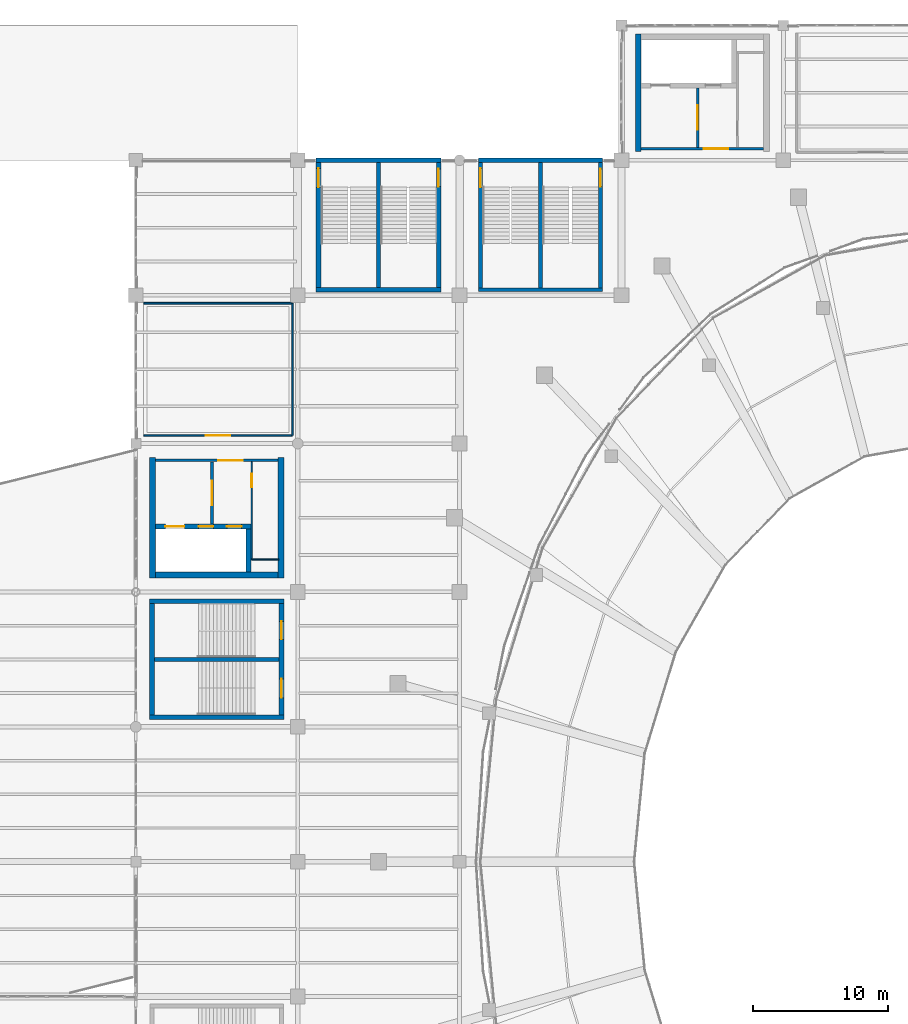
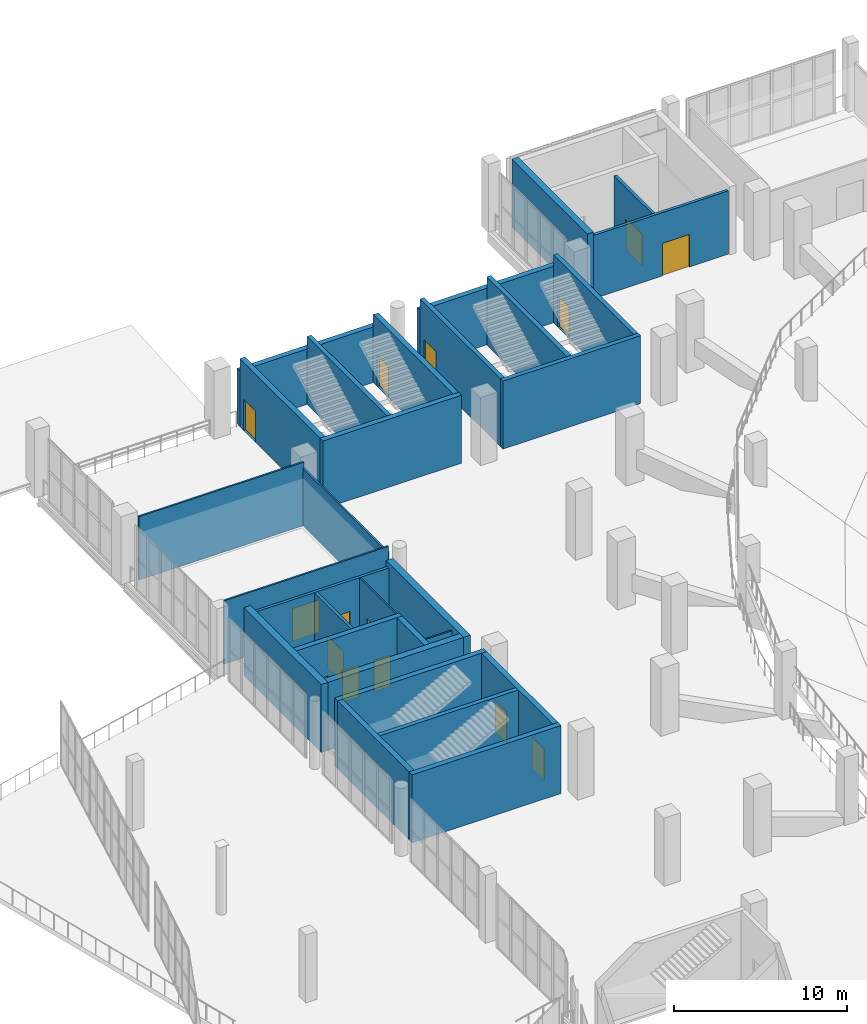
# One storey, part 110 of 136: 30 walls, 15 doors, 15 openings.
"""IFC4 building model written with IfcOpenShell, lengths in metres."""

from ifc_helpers import new_model, si_unit, direction, frame, frame_2d, origin, place, context, subcontext, project, spatial, rectangle, extrude, material, layer, layer_set, type_object, element, fill, save


model = new_model("IFC4")

# Units and contexts
model_context = context("Model", 3, precision=1e-05, world=origin(), true_north=direction((0.0, 1.0)))
body_context = subcontext(model_context, "Body", "Model", "MODEL_VIEW")
ifc_project = project(units=[si_unit("LENGTHUNIT", "METRE"), si_unit("AREAUNIT", "SQUARE_METRE"), si_unit("VOLUMEUNIT", "CUBIC_METRE"), si_unit("PLANEANGLEUNIT", "RADIAN"), si_unit("MASSUNIT", "GRAM", prefix="KILO")], contexts=[model_context])

# Site, building, storey
site_placement = place(None, origin())
site = spatial("IfcSite", under=ifc_project, at=site_placement, CompositionType="ELEMENT")
building_placement = place(site_placement, origin())
building = spatial("IfcBuilding", under=site, at=building_placement, Name="Brinegate Civic Arena", CompositionType="ELEMENT")
storey_placement = place(building_placement, frame((0.0, 0.0, 5.39990234375)))
storey = spatial("IfcBuildingStorey", under=building, at=storey_placement, Name="L01", CompositionType="ELEMENT", Elevation=5.39990234375)

# Wall
ifc_material_1 = material(Name="Concrete C50/60", Category="concrete")
ifc_layer_1 = layer(ifc_material_1, 0.35009765625, Name="Concrete C50/60")
ifc_layer_set_1 = layer_set([ifc_layer_1], Name="Concrete C50/60")
wall_type_1 = type_object("IfcWallType", Name="WALL-CORE-SHEAR-350", PredefinedType="SHEAR", material=ifc_layer_set_1)
wall_1_placement = place(storey_placement, frame((61.375, 104.39990234375, 0.0), z_axis=(0.0, 0.0, 1.0), x_axis=(1.0, 0.0, 0.0)))
element("IfcWall", 1, at=wall_1_placement, inside=storey, type_object=wall_type_1, Name="Stair ST-01 South Shear Wall L01 (WBB-07)", PredefinedType="SHEAR", context=body_context, shape_type="SweptSolid", body=[
    extrude(rectangle(XDim=9.25, YDim=0.35009765625, at=frame_2d((4.625, 0.0))), origin(), (0.0, 0.0, 1.0), 4.800048828125),
])

# Wall, opening, door
wall_2_placement = place(storey_placement, frame((61.550048828125, 104.574951171875, 0.0), z_axis=(0.0, 0.0, 1.0), x_axis=(0.0, 1.0, 0.0)))
wall_2 = element("IfcWall", 2, at=wall_2_placement, inside=storey, type_object=wall_type_1, Name="Stair ST-01 West Shear Wall L01 (WBB-09)", PredefinedType="SHEAR", context=body_context, shape_type="SweptSolid", body=[
    extrude(rectangle(XDim=9.25, YDim=0.35009765625, at=frame_2d((4.625, 0.0))), origin(), (0.0, 0.0, 1.0), 4.800048828125),
])
opening_1_placement = place(wall_2_placement, frame((7.425048828125, 0.0, 0.0)))
opening_1 = element("IfcOpeningElement", 3, at=opening_1_placement, cuts=wall_2, Name="Opening D-ST01A-L01", PredefinedType="OPENING", context=body_context, shape_type="SweptSolid", body=[
    extrude(rectangle(XDim=1.39990234375, YDim=2.199951171875, at=frame_2d((0.699951171875, 1.10009765625))), frame((0.0, 0.18505859375, 0.0), z_axis=(0.0, -1.0, 0.0), x_axis=(1.0, 0.0, 0.0)), (0.0, 0.0, 1.0), 0.3701171875),
])
ifc_material_2 = material(Name="Galvanized hurricane steel", Category="steel")
door_type_1 = type_object("IfcDoorType", Name="DOOR-STAIR-2400X2200", OperationType="NOTDEFINED", PredefinedType="DOOR", material=ifc_material_2)
door_1_placement = place(opening_1_placement, frame((1.39990234375, 0.0, 0.0), z_axis=(0.0, 0.0, 1.0), x_axis=(-1.0, 0.0, 0.0)))
door_1 = element("IfcDoor", 4, at=door_1_placement, inside=storey, type_object=door_type_1, Name="Protected Exit Stair Door D-ST01A-L01", OperationType="DOUBLE_DOOR_SINGLE_SWING", OverallHeight=2.199951171875, OverallWidth=1.39990234375, PredefinedType="DOOR", context=body_context, shape_type="SweptSolid", body=[
    extrude(rectangle(XDim=1.39990234375, YDim=2.199951171875, at=frame_2d((0.699951171875, 1.10009765625))), frame((0.0, 0.02490234375, 0.0), z_axis=(0.0, -1.0, 0.0), x_axis=(1.0, 0.0, 0.0)), (0.0, 0.0, 1.0), 0.050048828125),
])
fill(opening_1, door_1)

wall_3_placement = place(storey_placement, frame((70.449951171875, 104.574951171875, 0.0), z_axis=(0.0, 0.0, 1.0), x_axis=(0.0, 1.0, 0.0)))
wall_3 = element("IfcWall", 5, at=wall_3_placement, inside=storey, type_object=wall_type_1, Name="Stair ST-01 East Shear Wall L01 (WBB-10)", PredefinedType="SHEAR", context=body_context, shape_type="SweptSolid", body=[
    extrude(rectangle(XDim=9.25, YDim=0.35009765625, at=frame_2d((4.625, 0.0))), origin(), (0.0, 0.0, 1.0), 4.800048828125),
])
opening_2_placement = place(wall_3_placement, frame((7.465087890625, 0.0, 0.0)))
opening_2 = element("IfcOpeningElement", 6, at=opening_2_placement, cuts=wall_3, Name="Opening D-ST01B-L01", PredefinedType="OPENING", context=body_context, shape_type="SweptSolid", body=[
    extrude(rectangle(XDim=1.320068359375, YDim=2.199951171875, at=frame_2d((0.66015625, 1.10009765625))), frame((0.0, 0.18505859375, 0.0), z_axis=(0.0, -1.0, 0.0), x_axis=(1.0, 0.0, 0.0)), (0.0, 0.0, 1.0), 0.3701171875),
])
door_type_2 = type_object("IfcDoorType", Name="DOOR-STAIR-2200X2200", OperationType="NOTDEFINED", PredefinedType="DOOR", material=ifc_material_2)
door_2_placement = place(opening_2_placement, origin())
door_2 = element("IfcDoor", 7, at=door_2_placement, inside=storey, type_object=door_type_2, Name="Protected Exit Stair Door D-ST01B-L01", OperationType="DOUBLE_DOOR_SINGLE_SWING", OverallHeight=2.199951171875, OverallWidth=1.320068359375, PredefinedType="DOOR", context=body_context, shape_type="SweptSolid", body=[
    extrude(rectangle(XDim=1.320068359375, YDim=2.199951171875, at=frame_2d((0.66015625, 1.10009765625))), frame((0.0, 0.02490234375, 0.0), z_axis=(0.0, -1.0, 0.0), x_axis=(1.0, 0.0, 0.0)), (0.0, 0.0, 1.0), 0.050048828125),
])
fill(opening_2, door_2)

# Walls
for number, where, z_axis, x_axis, name in (
    (8, (49.02490234375, 72.699951171875, 0.0), (0.0, 0.0, 1.0), (1.0, 0.0, 0.0), "Stair ST-07 South Shear Wall L01 (WBC-73)"),
    (9, (49.02490234375, 81.300048828125, 0.0), (0.0, 0.0, 1.0), (1.0, 0.0, 0.0), "Stair ST-07 North Shear Wall L01 (WBC-74)"),
):
    element("IfcWall", number, at=place(storey_placement, frame(where, z_axis=z_axis, x_axis=x_axis)), inside=storey, type_object=wall_type_1, Name=name, PredefinedType="SHEAR", context=body_context, shape_type="SweptSolid", body=[
        extrude(rectangle(XDim=9.9501953125, YDim=0.35009765625, at=frame_2d((4.97509765625, 0.0))), origin(), (0.0, 0.0, 1.0), 4.800048828125),
    ])
wall_4_placement = place(storey_placement, frame((49.199951171875, 72.875, 0.0), z_axis=(0.0, 0.0, 1.0), x_axis=(0.0, 1.0, 0.0)))
element("IfcWall", 10, at=wall_4_placement, inside=storey, type_object=wall_type_1, Name="Stair ST-07 West Shear Wall L01 (WBC-75)", PredefinedType="SHEAR", context=body_context, shape_type="SweptSolid", body=[
    extrude(rectangle(XDim=8.25, YDim=0.35009765625, at=frame_2d((4.125, 0.0))), origin(), (0.0, 0.0, 1.0), 4.800048828125),
])

# Wall, openings, doors
wall_5_placement = place(storey_placement, frame((58.800048828125, 72.875, 0.0), z_axis=(0.0, 0.0, 1.0), x_axis=(0.0, 1.0, 0.0)))
wall_5 = element("IfcWall", 11, at=wall_5_placement, inside=storey, type_object=wall_type_1, Name="Stair ST-07 East Shear Wall L01 (WBC-76)", PredefinedType="SHEAR", context=body_context, shape_type="SweptSolid", body=[
    extrude(rectangle(XDim=8.25, YDim=0.35009765625, at=frame_2d((4.125, 0.0))), origin(), (0.0, 0.0, 1.0), 4.800048828125),
])
opening_3_placement = place(wall_5_placement, frame((1.27490234375, 0.0, 0.0)))
opening_3 = element("IfcOpeningElement", 12, at=opening_3_placement, cuts=wall_5, Name="Opening D-ST07A-L01", PredefinedType="OPENING", context=body_context, shape_type="SweptSolid", body=[
    extrude(rectangle(XDim=1.39990234375, YDim=2.199951171875, at=frame_2d((0.699951171875, 1.10009765625))), frame((0.0, 0.18505859375, 0.0), z_axis=(0.0, -1.0, 0.0), x_axis=(1.0, 0.0, 0.0)), (0.0, 0.0, 1.0), 0.3701171875),
])
opening_4_placement = place(wall_5_placement, frame((5.614990234375, 0.0, 0.0)))
opening_4 = element("IfcOpeningElement", 13, at=opening_4_placement, cuts=wall_5, Name="Opening D-ST07B-L01", PredefinedType="OPENING", context=body_context, shape_type="SweptSolid", body=[
    extrude(rectangle(XDim=1.320068359375, YDim=2.199951171875, at=frame_2d((0.66015625, 1.10009765625))), frame((0.0, 0.18505859375, 0.0), z_axis=(0.0, -1.0, 0.0), x_axis=(1.0, 0.0, 0.0)), (0.0, 0.0, 1.0), 0.3701171875),
])
door_3_placement = place(opening_4_placement, origin())
door_3 = element("IfcDoor", 14, at=door_3_placement, inside=storey, type_object=door_type_2, Name="Protected Exit Stair Door D-ST07B-L01", OperationType="DOUBLE_DOOR_SINGLE_SWING", OverallHeight=2.199951171875, OverallWidth=1.320068359375, PredefinedType="DOOR", context=body_context, shape_type="SweptSolid", body=[
    extrude(rectangle(XDim=1.320068359375, YDim=2.199951171875, at=frame_2d((0.66015625, 1.10009765625))), frame((0.0, 0.02490234375, 0.0), z_axis=(0.0, -1.0, 0.0), x_axis=(1.0, 0.0, 0.0)), (0.0, 0.0, 1.0), 0.050048828125),
])
fill(opening_4, door_3)
door_4_placement = place(opening_3_placement, origin())
door_4 = element("IfcDoor", 15, at=door_4_placement, inside=storey, type_object=door_type_1, Name="Protected Exit Stair Door D-ST07A-L01", OperationType="DOUBLE_DOOR_SINGLE_SWING", OverallHeight=2.199951171875, OverallWidth=1.39990234375, PredefinedType="DOOR", context=body_context, shape_type="SweptSolid", body=[
    extrude(rectangle(XDim=1.39990234375, YDim=2.199951171875, at=frame_2d((0.699951171875, 1.10009765625))), frame((0.0, 0.02490234375, 0.0), z_axis=(0.0, -1.0, 0.0), x_axis=(1.0, 0.0, 0.0)), (0.0, 0.0, 1.0), 0.050048828125),
])
fill(opening_3, door_4)

wall_6_placement = place(storey_placement, frame((49.47509765625, 86.85009765625, 0.0), z_axis=(0.0, 0.0, 1.0), x_axis=(1.0, 0.0, 0.0)))
wall_6 = element("IfcWall", 16, at=wall_6_placement, inside=storey, type_object=wall_type_1, Name="Core K1 Lift Shaft Front Wall L01 (WBF-48)", PredefinedType="SHEAR", context=body_context, shape_type="SweptSolid", body=[
    extrude(rectangle(XDim=7.0498046875, YDim=0.35009765625, at=frame_2d((3.52490234375, 0.0))), origin(), (0.0, 0.0, 1.0), 4.800048828125),
])
opening_5_placement = place(wall_6_placement, frame((0.72509765625, 0.0, 0.0)))
opening_5 = element("IfcOpeningElement", 17, at=opening_5_placement, cuts=wall_6, Name="Opening LD-FL1-L01", PredefinedType="OPENING", context=body_context, shape_type="SweptSolid", body=[
    extrude(rectangle(XDim=1.39990234375, YDim=2.300048828125, at=frame_2d((0.699951171875, 1.14990234375))), frame((0.0, 0.18505859375, 0.0), z_axis=(0.0, -1.0, 0.0), x_axis=(1.0, 0.0, 0.0)), (0.0, 0.0, 1.0), 0.3701171875),
])
opening_6_placement = place(wall_6_placement, frame((3.175048828125, 0.0, 0.0)))
opening_6 = element("IfcOpeningElement", 18, at=opening_6_placement, cuts=wall_6, Name="Opening LD-PL1-L01", PredefinedType="OPENING", context=body_context, shape_type="SweptSolid", body=[
    extrude(rectangle(XDim=1.10009765625, YDim=2.199951171875, at=frame_2d((0.550048828125, 1.10009765625))), frame((0.0, 0.18505859375, 0.0), z_axis=(0.0, -1.0, 0.0), x_axis=(1.0, 0.0, 0.0)), (0.0, 0.0, 1.0), 0.3701171875),
])
opening_7_placement = place(wall_6_placement, frame((5.27490234375, 0.0, 0.0)))
opening_7 = element("IfcOpeningElement", 19, at=opening_7_placement, cuts=wall_6, Name="Opening LD-PL2-L01", PredefinedType="OPENING", context=body_context, shape_type="SweptSolid", body=[
    extrude(rectangle(XDim=1.10009765625, YDim=2.199951171875, at=frame_2d((0.550048828125, 1.10009765625))), frame((0.0, 0.18505859375, 0.0), z_axis=(0.0, -1.0, 0.0), x_axis=(1.0, 0.0, 0.0)), (0.0, 0.0, 1.0), 0.3701171875),
])
ifc_material_3 = material(Name="Architectural stainless steel balustrade", Category="steel")
door_type_3 = type_object("IfcDoorType", Name="DOOR-LIFT-1100X2200", OperationType="SLIDING_TO_LEFT", PredefinedType="DOOR", material=ifc_material_3)
door_5_placement = place(opening_6_placement, origin())
door_5 = element("IfcDoor", 20, at=door_5_placement, inside=storey, type_object=door_type_3, Name="Sliding Lift Landing Door LD-PL1-L01", OperationType="SLIDING_TO_LEFT", OverallHeight=2.199951171875, OverallWidth=1.10009765625, PredefinedType="DOOR", context=body_context, shape_type="SweptSolid", body=[
    extrude(rectangle(XDim=1.10009765625, YDim=2.199951171875, at=frame_2d((0.550048828125, 1.10009765625))), frame((0.0, 0.02490234375, 0.0), z_axis=(0.0, -1.0, 0.0), x_axis=(1.0, 0.0, 0.0)), (0.0, 0.0, 1.0), 0.050048828125),
])
fill(opening_6, door_5)
door_6_placement = place(opening_7_placement, origin())
door_6 = element("IfcDoor", 21, at=door_6_placement, inside=storey, type_object=door_type_3, Name="Sliding Lift Landing Door LD-PL2-L01", OperationType="SLIDING_TO_LEFT", OverallHeight=2.199951171875, OverallWidth=1.10009765625, PredefinedType="DOOR", context=body_context, shape_type="SweptSolid", body=[
    extrude(rectangle(XDim=1.10009765625, YDim=2.199951171875, at=frame_2d((0.550048828125, 1.10009765625))), frame((0.0, 0.02490234375, 0.0), z_axis=(0.0, -1.0, 0.0), x_axis=(1.0, 0.0, 0.0)), (0.0, 0.0, 1.0), 0.050048828125),
])
fill(opening_7, door_6)
door_type_4 = type_object("IfcDoorType", Name="DOOR-LIFT-1400X2300", OperationType="SLIDING_TO_LEFT", PredefinedType="DOOR", material=ifc_material_3)
door_7_placement = place(opening_5_placement, origin())
door_7 = element("IfcDoor", 22, at=door_7_placement, inside=storey, type_object=door_type_4, Name="Sliding Lift Landing Door LD-FL1-L01", OperationType="SLIDING_TO_LEFT", OverallHeight=2.300048828125, OverallWidth=1.39990234375, PredefinedType="DOOR", context=body_context, shape_type="SweptSolid", body=[
    extrude(rectangle(XDim=1.39990234375, YDim=2.300048828125, at=frame_2d((0.699951171875, 1.14990234375))), frame((0.0, 0.02490234375, 0.0), z_axis=(0.0, -1.0, 0.0), x_axis=(1.0, 0.0, 0.0)), (0.0, 0.0, 1.0), 0.050048828125),
])
fill(opening_5, door_7)

# Walls
wall_7_placement = place(storey_placement, frame((56.35009765625, 83.47509765625, 0.0), z_axis=(0.0, 0.0, 1.0), x_axis=(0.0, 1.0, 0.0)))
element("IfcWall", 23, at=wall_7_placement, inside=storey, type_object=wall_type_1, Name="Core K1 Lift Shaft End Wall L01 (WBF-49)", PredefinedType="SHEAR", context=body_context, shape_type="SweptSolid", body=[
    extrude(rectangle(XDim=3.199951171875, YDim=0.35009765625, at=frame_2d((1.60009765625, 0.0))), origin(), (0.0, 0.0, 1.0), 4.800048828125),
])
ifc_layer_2 = layer(ifc_material_1, 0.419921875, Name="Concrete C50/60")
ifc_layer_set_2 = layer_set([ifc_layer_2], Name="Concrete C50/60")
wall_type_2 = type_object("IfcWallType", Name="WALL-CORE-SHEAR-420", PredefinedType="SHEAR", material=ifc_layer_set_2)
wall_8_placement = place(storey_placement, frame((85.25, 114.639892578125, 0.0), z_axis=(0.0, 0.0, 1.0), x_axis=(0.0, 1.0, 0.0)))
element("IfcWall", 24, at=wall_8_placement, inside=storey, type_object=wall_type_2, Name="Core K3 West Shear Wall L01 (WBG-54)", PredefinedType="SHEAR", context=body_context, shape_type="SweptSolid", body=[
    extrude(rectangle(XDim=8.72021484375, YDim=0.419921875, at=frame_2d((4.360107421875, 0.0))), origin(), (0.0, 0.0, 1.0), 4.800048828125),
])
ifc_layer_3 = layer(ifc_material_1, 0.449951171875, Name="Concrete C50/60")
ifc_layer_set_3 = layer_set([ifc_layer_3], Name="Concrete C50/60")
wall_type_3 = type_object("IfcWallType", Name="WALL-CORE-SHEAR-450", PredefinedType="SHEAR", material=ifc_layer_set_3)
for number, where, z_axis, x_axis, name in (
    (25, (49.25, 83.02490234375, 0.0), (0.0, 0.0, 1.0), (0.0, 1.0, 0.0), "Core K1 West Shear Wall L01 (WBF-45)"),
    (26, (58.75, 83.02490234375, 0.0), (0.0, 0.0, 1.0), (0.0, 1.0, 0.0), "Core K1 East Shear Wall L01 (WBF-46)"),
):
    element("IfcWall", number, at=place(storey_placement, frame(where, z_axis=z_axis, x_axis=x_axis)), inside=storey, type_object=wall_type_3, Name=name, PredefinedType="SHEAR", context=body_context, shape_type="SweptSolid", body=[
        extrude(rectangle(XDim=8.9501953125, YDim=0.449951171875, at=frame_2d((4.47509765625, 0.0))), origin(), (0.0, 0.0, 1.0), 4.800048828125),
    ])
wall_9_placement = place(storey_placement, frame((49.47509765625, 83.25, 0.0), z_axis=(0.0, 0.0, 1.0), x_axis=(1.0, 0.0, 0.0)))
element("IfcWall", 27, at=wall_9_placement, inside=storey, type_object=wall_type_3, Name="Core K1 South Shear Wall L01 (WBF-47)", PredefinedType="SHEAR", context=body_context, shape_type="SweptSolid", body=[
    extrude(rectangle(XDim=9.0498046875, YDim=0.449951171875, at=frame_2d((4.52490234375, 0.0))), origin(), (0.0, 0.0, 1.0), 4.800048828125),
])
ifc_layer_4 = layer(ifc_material_1, 0.35009765625, Name="Concrete C50/60")
ifc_layer_set_4 = layer_set([ifc_layer_4], Name="Concrete C50/60")
wall_type_4 = type_object("IfcWallType", Name="WALL-EXT-STAIR-SHEAR-350", PredefinedType="SHEAR", material=ifc_layer_set_4)
wall_10_placement = place(storey_placement, frame((61.375, 114.0, 0.0), z_axis=(0.0, 0.0, 1.0), x_axis=(1.0, 0.0, 0.0)))
element("IfcWall", 28, at=wall_10_placement, inside=storey, type_object=wall_type_4, Name="Stair ST-01 North Shear Wall L01 (WBB-08)", PredefinedType="SHEAR", context=body_context, shape_type="SweptSolid", body=[
    extrude(rectangle(XDim=9.25, YDim=0.35009765625, at=frame_2d((4.625, 0.0))), origin(), (0.0, 0.0, 1.0), 3.906005859375),
])
wall_11_placement = place(storey_placement, frame((73.405029296875, 114.0, 0.0), z_axis=(0.0, 0.0, 1.0), x_axis=(1.0, 0.0, 0.0)))
element("IfcWall", 29, at=wall_11_placement, inside=storey, type_object=wall_type_4, Name="Stair ST-11 North Shear Wall L01 (WBD-85)", PredefinedType="SHEAR", context=body_context, shape_type="SweptSolid", body=[
    extrude(rectangle(XDim=9.18994140625, YDim=0.35009765625, at=frame_2d((4.594970703125, 0.0))), origin(), (0.0, 0.0, 1.0), 3.984130859375),
])

# Wall, opening, door
ifc_material_4 = material(Name="Concrete blockwork masonry", Category="masonry")
ifc_layer_5 = layer(ifc_material_4, 0.18994140625, Name="Concrete blockwork masonry")
ifc_layer_set_5 = layer_set([ifc_layer_5], Name="Concrete blockwork masonry")
wall_type_5 = type_object("IfcWallType", Name="WALL-PART-RATED-190", PredefinedType="PARTITIONING", material=ifc_layer_set_5)
wall_12_placement = place(storey_placement, frame((49.469970703125, 91.75, 0.0), z_axis=(0.0, 0.0, 1.0), x_axis=(1.0, 0.0, 0.0)))
wall_12 = element("IfcWall", 30, at=wall_12_placement, inside=storey, type_object=wall_type_5, Name="Core K1 Concourse Lobby Wall L01 (WBF-50)", PredefinedType="PARTITIONING", context=body_context, shape_type="SweptSolid", body=[
    extrude(rectangle(XDim=9.06005859375, YDim=0.18994140625, at=frame_2d((4.530029296875, 0.0))), origin(), (0.0, 0.0, 1.0), 4.47021484375),
])
opening_8_placement = place(wall_12_placement, frame((4.64990234375, 0.0, 0.0)))
opening_8 = element("IfcOpeningElement", 31, at=opening_8_placement, cuts=wall_12, Name="Opening D-K1L-L01", PredefinedType="OPENING", context=body_context, shape_type="SweptSolid", body=[
    extrude(rectangle(XDim=1.800048828125, YDim=2.300048828125, at=frame_2d((0.89990234375, 1.14990234375))), frame((0.0, 0.10498046875, 0.0), z_axis=(0.0, -1.0, 0.0), x_axis=(1.0, 0.0, 0.0)), (0.0, 0.0, 1.0), 0.2099609375),
])
ifc_material_5 = material(Name="Marine grade aluminium", Category="aluminium")
door_type_5 = type_object("IfcDoorType", Name="DOOR-CONC-1800X2300", OperationType="NOTDEFINED", PredefinedType="DOOR", material=ifc_material_5)
door_8_placement = place(opening_8_placement, origin())
door_8 = element("IfcDoor", 32, at=door_8_placement, inside=storey, type_object=door_type_5, Name="Lift Lobby Door D-K1L-L01", OperationType="DOUBLE_DOOR_SINGLE_SWING", OverallHeight=2.300048828125, OverallWidth=1.800048828125, PredefinedType="DOOR", context=body_context, shape_type="SweptSolid", body=[
    extrude(rectangle(XDim=1.800048828125, YDim=2.300048828125, at=frame_2d((0.89990234375, 1.14990234375))), frame((0.0, 0.02490234375, 0.0), z_axis=(0.0, -1.0, 0.0), x_axis=(1.0, 0.0, 0.0)), (0.0, 0.0, 1.0), 0.050048828125),
])
fill(opening_8, door_8)

wall_13_placement = place(storey_placement, frame((53.64990234375, 87.02490234375, 0.0), z_axis=(0.0, 0.0, 1.0), x_axis=(0.0, 1.0, 0.0)))
wall_13 = element("IfcWall", 33, at=wall_13_placement, inside=storey, type_object=wall_type_5, Name="Firefighting Lobby K1 Wall L01 (WBF-51)", PredefinedType="PARTITIONING", context=body_context, shape_type="SweptSolid", body=[
    extrude(rectangle(XDim=4.625, YDim=0.18994140625, at=frame_2d((2.3125, 0.0))), origin(), (0.0, 0.0, 1.0), 4.47021484375),
])
opening_9_placement = place(wall_13_placement, frame((1.4130859375, 0.0, 0.0)))
opening_9 = element("IfcOpeningElement", 34, at=opening_9_placement, cuts=wall_13, Name="Opening D-K1F-L01", PredefinedType="OPENING", context=body_context, shape_type="SweptSolid", body=[
    extrude(rectangle(XDim=1.800048828125, YDim=2.199951171875, at=frame_2d((0.89990234375, 1.10009765625))), frame((0.0, 0.10498046875, 0.0), z_axis=(0.0, -1.0, 0.0), x_axis=(1.0, 0.0, 0.0)), (0.0, 0.0, 1.0), 0.2099609375),
])
door_type_6 = type_object("IfcDoorType", Name="DOOR-FFLOB-1800X2200", OperationType="NOTDEFINED", PredefinedType="DOOR", material=ifc_material_2)
door_9_placement = place(opening_9_placement, origin())
door_9 = element("IfcDoor", 35, at=door_9_placement, inside=storey, type_object=door_type_6, Name="Firefighting Lift Lobby Door D-K1F-L01", OperationType="DOUBLE_DOOR_SINGLE_SWING", OverallHeight=2.199951171875, OverallWidth=1.800048828125, PredefinedType="DOOR", context=body_context, shape_type="SweptSolid", body=[
    extrude(rectangle(XDim=1.800048828125, YDim=2.199951171875, at=frame_2d((0.89990234375, 1.10009765625))), frame((0.0, 0.02490234375, 0.0), z_axis=(0.0, -1.0, 0.0), x_axis=(1.0, 0.0, 0.0)), (0.0, 0.0, 1.0), 0.050048828125),
])
fill(opening_9, door_9)

wall_14_placement = place(storey_placement, frame((85.469970703125, 114.85009765625, 0.0), z_axis=(0.0, 0.0, 1.0), x_axis=(1.0, 0.0, 0.0)))
wall_14 = element("IfcWall", 36, at=wall_14_placement, inside=storey, type_object=wall_type_5, Name="Core K3 Concourse Lobby Wall L01 (WBG-59)", PredefinedType="PARTITIONING", context=body_context, shape_type="SweptSolid", body=[
    extrude(rectangle(XDim=9.06005859375, YDim=0.18994140625, at=frame_2d((4.530029296875, 0.0))), origin(), (0.0, 0.0, 1.0), 4.47021484375),
])
opening_10_placement = place(wall_14_placement, frame((4.64990234375, 0.0, 0.0)))
opening_10 = element("IfcOpeningElement", 37, at=opening_10_placement, cuts=wall_14, Name="Opening D-K3L-L01", PredefinedType="OPENING", context=body_context, shape_type="SweptSolid", body=[
    extrude(rectangle(XDim=1.800048828125, YDim=2.300048828125, at=frame_2d((0.89990234375, 1.14990234375))), frame((0.0, 0.10498046875, 0.0), z_axis=(0.0, -1.0, 0.0), x_axis=(1.0, 0.0, 0.0)), (0.0, 0.0, 1.0), 0.2099609375),
])
door_10_placement = place(opening_10_placement, origin())
door_10 = element("IfcDoor", 38, at=door_10_placement, inside=storey, type_object=door_type_5, Name="Lift Lobby Door D-K3L-L01", OperationType="DOUBLE_DOOR_SINGLE_SWING", OverallHeight=2.300048828125, OverallWidth=1.800048828125, PredefinedType="DOOR", context=body_context, shape_type="SweptSolid", body=[
    extrude(rectangle(XDim=1.800048828125, YDim=2.300048828125, at=frame_2d((0.89990234375, 1.14990234375))), frame((0.0, 0.02490234375, 0.0), z_axis=(0.0, -1.0, 0.0), x_axis=(1.0, 0.0, 0.0)), (0.0, 0.0, 1.0), 0.050048828125),
])
fill(opening_10, door_10)

wall_15_placement = place(storey_placement, frame((89.64990234375, 114.949951171875, 0.0), z_axis=(0.0, 0.0, 1.0), x_axis=(0.0, 1.0, 0.0)))
wall_15 = element("IfcWall", 39, at=wall_15_placement, inside=storey, type_object=wall_type_5, Name="Firefighting Lobby K3 Wall L01 (WBG-60)", PredefinedType="PARTITIONING", context=body_context, shape_type="SweptSolid", body=[
    extrude(rectangle(XDim=4.425048828125, YDim=0.18994140625, at=frame_2d((2.21240234375, 0.0))), origin(), (0.0, 0.0, 1.0), 4.47021484375),
])
opening_11_placement = place(wall_15_placement, frame((1.31298828125, 0.0, 0.0)))
opening_11 = element("IfcOpeningElement", 40, at=opening_11_placement, cuts=wall_15, Name="Opening D-K3F-L01", PredefinedType="OPENING", context=body_context, shape_type="SweptSolid", body=[
    extrude(rectangle(XDim=1.800048828125, YDim=2.199951171875, at=frame_2d((0.89990234375, 1.10009765625))), frame((0.0, 0.10498046875, 0.0), z_axis=(0.0, -1.0, 0.0), x_axis=(1.0, 0.0, 0.0)), (0.0, 0.0, 1.0), 0.2099609375),
])
door_11_placement = place(opening_11_placement, origin())
door_11 = element("IfcDoor", 41, at=door_11_placement, inside=storey, type_object=door_type_6, Name="Firefighting Lift Lobby Door D-K3F-L01", OperationType="DOUBLE_DOOR_SINGLE_SWING", OverallHeight=2.199951171875, OverallWidth=1.800048828125, PredefinedType="DOOR", context=body_context, shape_type="SweptSolid", body=[
    extrude(rectangle(XDim=1.800048828125, YDim=2.199951171875, at=frame_2d((0.89990234375, 1.10009765625))), frame((0.0, 0.02490234375, 0.0), z_axis=(0.0, -1.0, 0.0), x_axis=(1.0, 0.0, 0.0)), (0.0, 0.0, 1.0), 0.050048828125),
])
fill(opening_11, door_11)

# Wall
ifc_material_6 = material(Name="Fire-rated gypsum partition assembly")
ifc_layer_6 = layer(ifc_material_6, 0.114990234375, Name="Fire-rated gypsum partition assembly")
ifc_layer_set_6 = layer_set([ifc_layer_6], Name="Fire-rated gypsum partition assembly")
wall_type_6 = type_object("IfcWallType", Name="WALL-PART-STD-115", PredefinedType="PARTITIONING", material=ifc_layer_set_6)
wall_16_placement = place(storey_placement, frame((59.60009765625, 103.39990234375, 0.0), z_axis=(0.0, 0.0, 1.0), x_axis=(0.0, -1.0, 0.0)))
element("IfcWall", 42, at=wall_16_placement, inside=storey, type_object=wall_type_6, Name="North-East Island Grill Concession Partition Wall E1 (WBI-96)", PredefinedType="PARTITIONING", context=body_context, shape_type="SweptSolid", body=[
    extrude(rectangle(XDim=9.7998046875, YDim=0.114990234375, at=frame_2d((4.89990234375, 0.0))), origin(), (0.0, 0.0, 1.0), 4.033203125),
])

# Wall, opening, door
wall_17_placement = place(storey_placement, frame((59.60009765625, 93.60009765625, 0.0), z_axis=(0.0, 0.0, 1.0), x_axis=(-1.0, 0.0, 0.0)))
wall_17 = element("IfcWall", 43, at=wall_17_placement, inside=storey, type_object=wall_type_6, Name="North-East Island Grill Concession Partition Wall E2 (WBI-97)", PredefinedType="PARTITIONING", context=body_context, shape_type="SweptSolid", body=[
    extrude(rectangle(XDim=11.0, YDim=0.114990234375, at=frame_2d((5.5, 0.0))), origin(), (0.0, 0.0, 1.0), 4.47021484375),
])
opening_12_placement = place(wall_17_placement, frame((4.60009765625, 0.0, 0.0)))
opening_12 = element("IfcOpeningElement", 44, at=opening_12_placement, cuts=wall_17, Name="Opening D-L01-174", PredefinedType="OPENING", context=body_context, shape_type="SweptSolid", body=[
    extrude(rectangle(XDim=1.800048828125, YDim=2.300048828125, at=frame_2d((0.89990234375, 1.14990234375))), frame((0.0, 0.0673828125, 0.0), z_axis=(0.0, -1.0, 0.0), x_axis=(1.0, 0.0, 0.0)), (0.0, 0.0, 1.0), 0.135009765625),
])
door_12_placement = place(opening_12_placement, origin())
door_12 = element("IfcDoor", 45, at=door_12_placement, inside=storey, type_object=door_type_5, Name="North-East Island Grill Concession Door D-L01-174", OperationType="DOUBLE_DOOR_SINGLE_SWING", OverallHeight=2.300048828125, OverallWidth=1.800048828125, PredefinedType="DOOR", context=body_context, shape_type="SweptSolid", body=[
    extrude(rectangle(XDim=1.800048828125, YDim=2.300048828125, at=frame_2d((0.89990234375, 1.14990234375))), frame((0.0, 0.02490234375, 0.0), z_axis=(0.0, -1.0, 0.0), x_axis=(1.0, 0.0, 0.0)), (0.0, 0.0, 1.0), 0.050048828125),
])
fill(opening_12, door_12)

# Wall
wall_18_placement = place(storey_placement, frame((48.60009765625, 103.39990234375, 0.0), z_axis=(0.0, 0.0, 1.0), x_axis=(1.0, 0.0, 0.0)))
element("IfcWall", 46, at=wall_18_placement, inside=storey, type_object=wall_type_6, Name="North-East Island Grill Concession Partition Wall E4 (WBI-98)", PredefinedType="PARTITIONING", context=body_context, shape_type="SweptSolid", body=[
    extrude(rectangle(XDim=11.0, YDim=0.114990234375, at=frame_2d((5.5, 0.0))), origin(), (0.0, 0.0, 1.0), 4.47021484375),
])

# Wall, opening, door
ifc_layer_7 = layer(ifc_material_4, 0.10009765625, Name="Concrete blockwork masonry")
ifc_layer_set_7 = layer_set([ifc_layer_7], Name="Concrete blockwork masonry")
wall_type_7 = type_object("IfcWallType", Name="WALL-PART-WET-100", PredefinedType="PARTITIONING", material=ifc_layer_set_7)
wall_19_placement = place(storey_placement, frame((56.60009765625, 84.39990234375, 0.0), z_axis=(0.0, 0.0, 1.0), x_axis=(0.0, 1.0, 0.0)))
wall_19 = element("IfcWall", 47, at=wall_19_placement, inside=storey, type_object=wall_type_7, Name="Accessible WC K1 Partition L01 (WBF-52)", PredefinedType="PARTITIONING", context=body_context, shape_type="SweptSolid", body=[
    extrude(rectangle(XDim=7.25, YDim=0.10009765625, at=frame_2d((3.625, 0.0))), origin(), (0.0, 0.0, 1.0), 4.47021484375),
])
opening_13_placement = place(wall_19_placement, frame((5.35009765625, 0.0, 0.0)))
opening_13 = element("IfcOpeningElement", 48, at=opening_13_placement, cuts=wall_19, Name="Opening D-K1W-L01", PredefinedType="OPENING", context=body_context, shape_type="SweptSolid", body=[
    extrude(rectangle(XDim=1.0, YDim=2.10009765625, at=frame_2d((0.5, 1.050048828125))), frame((0.0, 0.06005859375, 0.0), z_axis=(0.0, -1.0, 0.0), x_axis=(1.0, 0.0, 0.0)), (0.0, 0.0, 1.0), 0.1201171875),
])
ifc_material_7 = material(Name="Hardwood acoustic timber door", Category="wood")
door_type_7 = type_object("IfcDoorType", Name="DOOR-AWC-1000X2100", OperationType="NOTDEFINED", PredefinedType="DOOR", material=ifc_material_7)
door_13_placement = place(opening_13_placement, origin())
door_13 = element("IfcDoor", 49, at=door_13_placement, inside=storey, type_object=door_type_7, Name="Accessible WC Door D-K1W-L01", OperationType="SINGLE_SWING_RIGHT", OverallHeight=2.10009765625, OverallWidth=1.0, PredefinedType="DOOR", context=body_context, shape_type="SweptSolid", body=[
    extrude(rectangle(XDim=1.0, YDim=2.10009765625, at=frame_2d((0.5, 1.050048828125))), frame((0.0, 0.02490234375, 0.0), z_axis=(0.0, -1.0, 0.0), x_axis=(1.0, 0.0, 0.0)), (0.0, 0.0, 1.0), 0.050048828125),
])
fill(opening_13, door_13)

# Walls
wall_20_placement = place(storey_placement, frame((56.60009765625, 84.39990234375, 0.0), z_axis=(0.0, 0.0, 1.0), x_axis=(1.0, 0.0, 0.0)))
element("IfcWall", 50, at=wall_20_placement, inside=storey, type_object=wall_type_7, Name="Accessible WC K1 Back Partition L01 (WBF-53)", PredefinedType="PARTITIONING", context=body_context, shape_type="SweptSolid", body=[
    extrude(rectangle(XDim=2.0, YDim=0.10009765625, at=frame_2d((1.0, 0.0))), origin(), (0.0, 0.0, 1.0), 4.47021484375),
])
ifc_layer_8 = layer(ifc_material_1, 0.2900390625, Name="Concrete C50/60")
ifc_layer_set_8 = layer_set([ifc_layer_8], Name="Concrete C50/60")
wall_type_8 = type_object("IfcWallType", Name="WALL-STAIR-SHEAR-290", PredefinedType="SHEAR", material=ifc_layer_set_8)
for number, where, z_axis, x_axis, name in (
    (51, (66.0, 104.574951171875, 0.0), (0.0, 0.0, 1.0), (0.0, 1.0, 0.0), "Stair ST-01 Central Dividing Shear Wall L01 (WBB-11)"),
    (52, (49.375, 77.0, 0.0), (0.0, 0.0, 1.0), (1.0, 0.0, 0.0), "Stair ST-07 Central Dividing Shear Wall L01 (WBC-77)"),
):
    element("IfcWall", number, at=place(storey_placement, frame(where, z_axis=z_axis, x_axis=x_axis)), inside=storey, type_object=wall_type_8, Name=name, PredefinedType="SHEAR", context=body_context, shape_type="SweptSolid", body=[
        extrude(rectangle(XDim=9.25, YDim=0.2900390625, at=frame_2d((4.625, 0.0))), origin(), (0.0, 0.0, 1.0), 4.800048828125),
    ])
wall_21_placement = place(storey_placement, frame((73.405029296875, 104.39990234375, 0.0), z_axis=(0.0, 0.0, 1.0), x_axis=(1.0, 0.0, 0.0)))
element("IfcWall", 53, at=wall_21_placement, inside=storey, type_object=wall_type_8, Name="Stair ST-11 South Shear Wall L01 (WBD-84)", PredefinedType="SHEAR", context=body_context, shape_type="SweptSolid", body=[
    extrude(rectangle(XDim=9.18994140625, YDim=0.2900390625, at=frame_2d((4.594970703125, 0.0))), origin(), (0.0, 0.0, 1.0), 4.800048828125),
])

# Wall, opening, door
wall_22_placement = place(storey_placement, frame((73.550048828125, 104.544921875, 0.0), z_axis=(0.0, 0.0, 1.0), x_axis=(0.0, 1.0, 0.0)))
wall_22 = element("IfcWall", 54, at=wall_22_placement, inside=storey, type_object=wall_type_8, Name="Stair ST-11 West Shear Wall L01 (WBD-86)", PredefinedType="SHEAR", context=body_context, shape_type="SweptSolid", body=[
    extrude(rectangle(XDim=9.280029296875, YDim=0.2900390625, at=frame_2d((4.64013671875, 0.0))), origin(), (0.0, 0.0, 1.0), 4.800048828125),
])
opening_14_placement = place(wall_22_placement, frame((7.455078125, 0.0, 0.0)))
opening_14 = element("IfcOpeningElement", 55, at=opening_14_placement, cuts=wall_22, Name="Opening D-ST11A-L01", PredefinedType="OPENING", context=body_context, shape_type="SweptSolid", body=[
    extrude(rectangle(XDim=1.39990234375, YDim=2.199951171875, at=frame_2d((0.699951171875, 1.10009765625))), frame((0.0, 0.155029296875, 0.0), z_axis=(0.0, -1.0, 0.0), x_axis=(1.0, 0.0, 0.0)), (0.0, 0.0, 1.0), 0.31005859375),
])
door_14_placement = place(opening_14_placement, frame((1.39990234375, 0.0, 0.0), z_axis=(0.0, 0.0, 1.0), x_axis=(-1.0, 0.0, 0.0)))
door_14 = element("IfcDoor", 56, at=door_14_placement, inside=storey, type_object=door_type_1, Name="Protected Exit Stair Door D-ST11A-L01", OperationType="DOUBLE_DOOR_SINGLE_SWING", OverallHeight=2.199951171875, OverallWidth=1.39990234375, PredefinedType="DOOR", context=body_context, shape_type="SweptSolid", body=[
    extrude(rectangle(XDim=1.39990234375, YDim=2.199951171875, at=frame_2d((0.699951171875, 1.10009765625))), frame((0.0, 0.02490234375, 0.0), z_axis=(0.0, -1.0, 0.0), x_axis=(1.0, 0.0, 0.0)), (0.0, 0.0, 1.0), 0.050048828125),
])
fill(opening_14, door_14)

wall_23_placement = place(storey_placement, frame((82.449951171875, 104.544921875, 0.0), z_axis=(0.0, 0.0, 1.0), x_axis=(0.0, 1.0, 0.0)))
wall_23 = element("IfcWall", 57, at=wall_23_placement, inside=storey, type_object=wall_type_8, Name="Stair ST-11 East Shear Wall L01 (WBD-87)", PredefinedType="SHEAR", context=body_context, shape_type="SweptSolid", body=[
    extrude(rectangle(XDim=9.280029296875, YDim=0.2900390625, at=frame_2d((4.64013671875, 0.0))), origin(), (0.0, 0.0, 1.0), 4.800048828125),
])
opening_15_placement = place(wall_23_placement, frame((7.4951171875, 0.0, 0.0)))
opening_15 = element("IfcOpeningElement", 58, at=opening_15_placement, cuts=wall_23, Name="Opening D-ST11B-L01", PredefinedType="OPENING", context=body_context, shape_type="SweptSolid", body=[
    extrude(rectangle(XDim=1.320068359375, YDim=2.199951171875, at=frame_2d((0.66015625, 1.10009765625))), frame((0.0, 0.155029296875, 0.0), z_axis=(0.0, -1.0, 0.0), x_axis=(1.0, 0.0, 0.0)), (0.0, 0.0, 1.0), 0.31005859375),
])
door_15_placement = place(opening_15_placement, origin())
door_15 = element("IfcDoor", 59, at=door_15_placement, inside=storey, type_object=door_type_2, Name="Protected Exit Stair Door D-ST11B-L01", OperationType="DOUBLE_DOOR_SINGLE_SWING", OverallHeight=2.199951171875, OverallWidth=1.320068359375, PredefinedType="DOOR", context=body_context, shape_type="SweptSolid", body=[
    extrude(rectangle(XDim=1.320068359375, YDim=2.199951171875, at=frame_2d((0.66015625, 1.10009765625))), frame((0.0, 0.02490234375, 0.0), z_axis=(0.0, -1.0, 0.0), x_axis=(1.0, 0.0, 0.0)), (0.0, 0.0, 1.0), 0.050048828125),
])
fill(opening_15, door_15)

# Wall
wall_24_placement = place(storey_placement, frame((78.0, 104.544921875, 0.0), z_axis=(0.0, 0.0, 1.0), x_axis=(0.0, 1.0, 0.0)))
element("IfcWall", 60, at=wall_24_placement, inside=storey, type_object=wall_type_8, Name="Stair ST-11 Central Dividing Shear Wall L01 (WBD-88)", PredefinedType="SHEAR", context=body_context, shape_type="SweptSolid", body=[
    extrude(rectangle(XDim=9.280029296875, YDim=0.2900390625, at=frame_2d((4.64013671875, 0.0))), origin(), (0.0, 0.0, 1.0), 4.800048828125),
])

save(model, "model.ifc")
